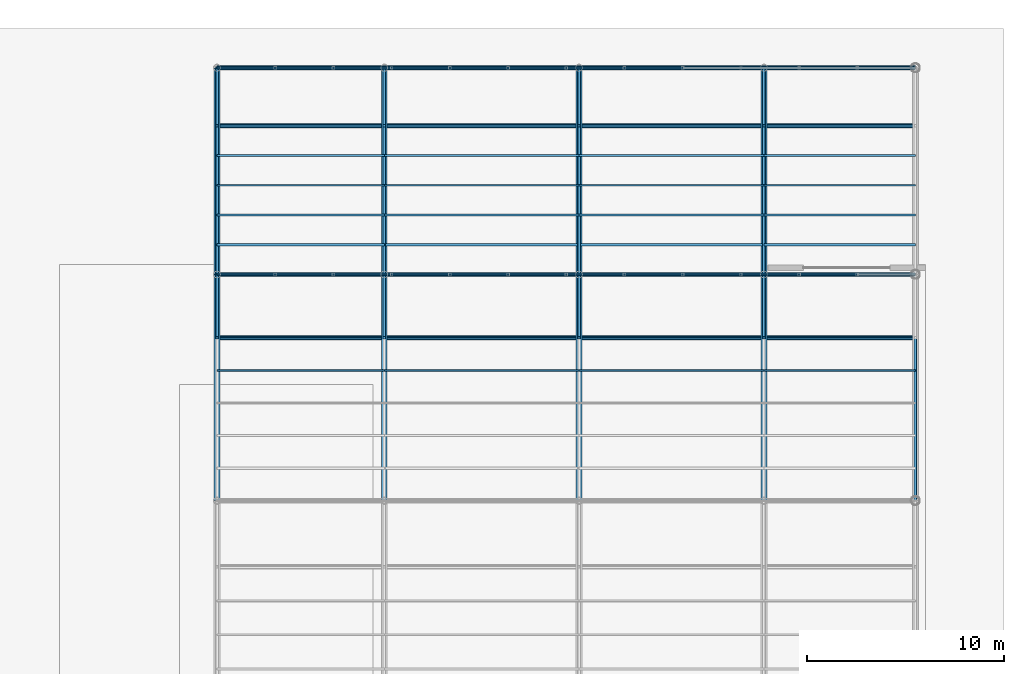
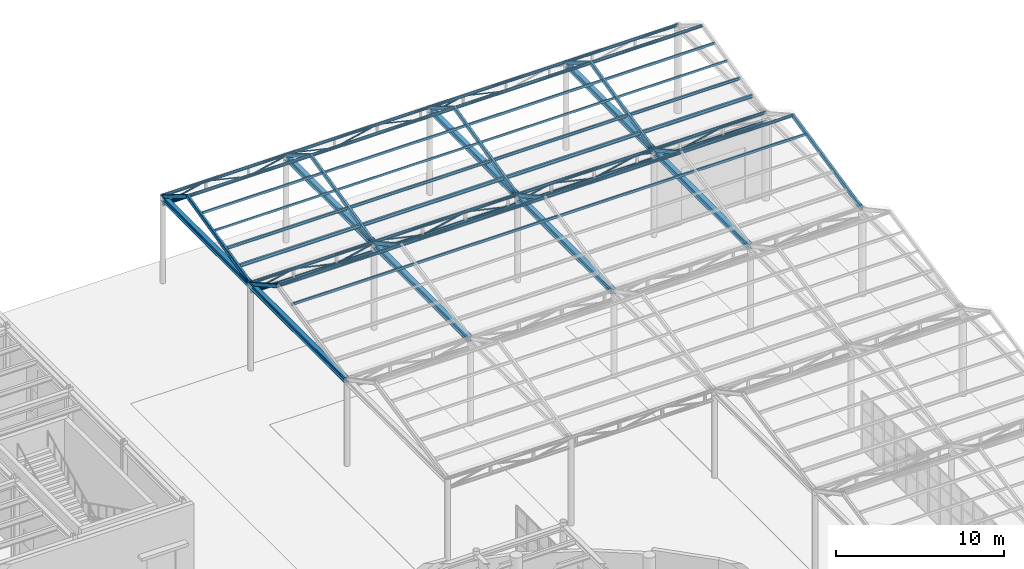
# One storey, part 49 of 118: 58 members, 8 beams.
"""IFC4 building model written with IfcOpenShell, lengths in metres."""

import ifcopenshell
import ifcopenshell.guid

model = None  # the IFC model being written
_history = None  # IfcOwnerHistory: only IFC2X3 demands one
_inside = {}  # id of a spatial element -> (the spatial element, [elements in it])
_under = {}  # id of a project, library or spatial element -> (it, [spatial elements below it])
_declared = {}  # id of a project -> (the project, [libraries it declares])
_typed = {}  # id of a type object -> (the type object, [elements of that type])
_made_of = {}  # id of a material, layer set ... -> (it, [elements and type objects made of it])


def new_model(schema):
    """Start an empty IFC model of exactly this schema.

    Asked for "IFC4X3", IfcOpenShell would pick the latest addendum, in which some entities
    have other attributes; the version numbers below select the first issue.
    IFC2X3 requires an IfcOwnerHistory on every rooted entity: one is made here for all.
    """
    global model, _history
    if schema == "IFC4X3":
        model = ifcopenshell.file(schema_version=(4, 3, 0, 0))
    else:
        model = ifcopenshell.file(schema=schema)
    _inside.clear()
    _under.clear()
    _declared.clear()
    _typed.clear()
    _made_of.clear()
    _history = None
    if model.schema == "IFC2X3":
        org = make("IfcOrganization", Name="unknown")
        user = make(
            "IfcPersonAndOrganization",
            ThePerson=make("IfcPerson", FamilyName="unknown"),
            TheOrganization=org,
        )
        app = make(
            "IfcApplication",
            ApplicationDeveloper=org,
            Version="unknown",
            ApplicationFullName="unknown",
            ApplicationIdentifier="unknown",
        )
        _history = make(
            "IfcOwnerHistory",
            OwningUser=user,
            OwningApplication=app,
            ChangeAction="ADDED",
            CreationDate=0,
        )
    return model


def make(cls, **values):
    """One entity of the class cls with the attributes given. An attribute that is None is left unset."""
    return model.create_entity(
        cls, **{name: value for name, value in values.items() if value is not None}
    )


def rooted(cls, **values):
    """An entity with a GlobalId (a new one), such as an element, a storey or a relation."""
    return make(cls, GlobalId=ifcopenshell.guid.new(), OwnerHistory=_history, **values)


def si_unit(unit_type, name, prefix=None):
    """IfcSIUnit, for example si_unit("LENGTHUNIT", "METRE", prefix="MILLI")."""
    return make("IfcSIUnit", UnitType=unit_type, Prefix=prefix, Name=name)


def assignment(units):
    """IfcUnitAssignment: the units of a project."""
    return None if units is None else make("IfcUnitAssignment", Units=units)


def point(xyz):
    """IfcCartesianPoint."""
    return None if xyz is None else make("IfcCartesianPoint", Coordinates=xyz)


def direction(xyz):
    """IfcDirection."""
    return None if xyz is None else make("IfcDirection", DirectionRatios=xyz)


def frame(location, z_axis=None, x_axis=None):
    """IfcAxis2Placement3D, a coordinate frame: its origin and axes. An axis left out is left unset."""
    return make(
        "IfcAxis2Placement3D",
        Location=point(location),
        Axis=direction(z_axis),
        RefDirection=direction(x_axis),
    )


def frame_2d(location, x_axis=None):
    """IfcAxis2Placement2D, a coordinate frame in the plane: its origin and x axis."""
    return make(
        "IfcAxis2Placement2D", Location=point(location), RefDirection=direction(x_axis)
    )


def origin():
    """The frame at (0, 0, 0) with its axes left unset."""
    return frame((0.0, 0.0, 0.0))


def origin_2d():
    """The frame at (0, 0) in the plane with its x axis left unset."""
    return frame_2d((0.0, 0.0))


def place(relative_to, where):
    """IfcLocalPlacement: puts the frame where relative to a parent placement (None: the world)."""
    return make(
        "IfcLocalPlacement", PlacementRelTo=relative_to, RelativePlacement=where
    )


def context(
    kind, dimensions, precision=None, world=None, true_north=None, identifier=None
):
    """IfcGeometricRepresentationContext, for example the 3D "Model" context."""
    return make(
        "IfcGeometricRepresentationContext",
        ContextIdentifier=identifier,
        ContextType=kind,
        CoordinateSpaceDimension=dimensions,
        Precision=precision,
        WorldCoordinateSystem=world,
        TrueNorth=true_north,
    )


def subcontext(parent, identifier, kind, view, scale=None):
    """IfcGeometricRepresentationSubContext, for example "Body" below "Model"."""
    return make(
        "IfcGeometricRepresentationSubContext",
        ContextIdentifier=identifier,
        ContextType=kind,
        ParentContext=parent,
        TargetScale=scale,
        TargetView=view,
    )


def project(units=None, contexts=None):
    """IfcProject with its units and contexts."""
    return rooted(
        "IfcProject",
        Name="project",
        RepresentationContexts=contexts,
        UnitsInContext=assignment(units),
    )


def spatial(cls, under=None, at=None, **own):
    """A site, building, storey or space (cls), placed at a placement, below another one or the project."""
    s = rooted(cls, ObjectPlacement=at, **own)
    if under is not None:
        _under.setdefault(under.id(), (under, []))[1].append(s)
    return s


def profile(cls, at=None, kind="AREA", **sizes):
    """A parametric profile (cls). Its sizes go by their IFC names, for example OverallWidth=200.0."""
    return make(cls, ProfileType=kind, Position=at, **sizes)


def hollow_rectangle(**sizes):
    """IfcRectangleHollowProfileDef."""
    return profile("IfcRectangleHollowProfileDef", **sizes)


def hollow_circle(**sizes):
    """IfcCircleHollowProfileDef."""
    return profile("IfcCircleHollowProfileDef", **sizes)


def i_section(**sizes):
    """IfcIShapeProfileDef."""
    return profile("IfcIShapeProfileDef", **sizes)


def extrude(swept, where, along, depth):
    """IfcExtrudedAreaSolid: the profile swept, set in the frame where, extruded along a direction by depth."""
    return make(
        "IfcExtrudedAreaSolid",
        SweptArea=swept,
        Position=where,
        ExtrudedDirection=direction(along),
        Depth=depth,
    )


def shape(context_of_items, identifier, shape_type, items):
    """IfcShapeRepresentation: the items that make up one representation, for example the "Body"."""
    return make(
        "IfcShapeRepresentation",
        ContextOfItems=context_of_items,
        RepresentationIdentifier=identifier,
        RepresentationType=shape_type,
        Items=items,
    )


def material(Name=None, Category=None):
    """IfcMaterial."""
    return make("IfcMaterial", Name=Name, Category=Category)


def material_profile(
    of_material, cross_section, Name=None, Category=None, Priority=None
):
    """IfcMaterialProfile: a cross section and its material."""
    return make(
        "IfcMaterialProfile",
        Name=Name,
        Material=of_material,
        Profile=cross_section,
        Priority=Priority,
        Category=Category,
    )


def profile_set(profiles, Name=None, composite=None):
    """IfcMaterialProfileSet."""
    return make(
        "IfcMaterialProfileSet",
        Name=Name,
        MaterialProfiles=profiles,
        CompositeProfile=composite,
    )


def made_of(thing, what):
    """Note that an element or type object is made of a material, layer set ...; save() writes the relation."""
    if what is not None:
        _made_of.setdefault(what.id(), (what, []))[1].append(thing)
    return thing


def type_object(cls, material=None, **own):
    """A type object (cls), such as IfcWallType, which elements share."""
    return made_of(rooted(cls, **own), material)


def element(
    cls,
    number,
    at=None,
    inside=None,
    cuts=None,
    type_object=None,
    material=None,
    context=None,
    identifier="Body",
    shape_type=None,
    held_by="IfcProductDefinitionShape",
    body=None,
    shapes=None,
    **own,
):
    """One element of the class cls, such as IfcWall. Its Tag is "e" and its number.

    at: its placement. inside: the storey or other place that contains it. cuts: it is an
    opening in that element (IfcRelVoidsElement). A single representation is given by context,
    identifier, shape_type and body (its items); several are given by shapes. held_by: the class
    of the entity that holds the representations. save() writes the other relations.
    """
    e = rooted(cls, Tag="e%d" % number, ObjectPlacement=at, **own)
    if body is not None:
        shapes = [shape(context, identifier, shape_type, body)]
    if shapes is not None:
        e.Representation = make(held_by, Representations=shapes)
    if inside is not None:
        _inside.setdefault(inside.id(), (inside, []))[1].append(e)
    if cuts is not None:
        rooted(
            "IfcRelVoidsElement", RelatingBuildingElement=cuts, RelatedOpeningElement=e
        )
    if type_object is not None:
        _typed.setdefault(type_object.id(), (type_object, []))[1].append(e)
    return made_of(e, material)


def aggregate(whole, parts):
    """IfcRelAggregates: a whole, such as a stair, and the parts it consists of."""
    return rooted("IfcRelAggregates", RelatingObject=whole, RelatedObjects=parts)


def save(model, path):
    """Write the relations noted so far, then the file.

    IfcRelAggregates (storeys below a building ...), IfcRelContainedInSpatialStructure (elements
    in a storey), IfcRelDefinesByType, IfcRelAssociatesMaterial and IfcRelDeclares: one each for
    every whole, place, type object, material and project.
    """
    for whole, parts in _under.values():
        aggregate(whole, parts)
    for where, things in _inside.values():
        rooted(
            "IfcRelContainedInSpatialStructure",
            RelatedElements=things,
            RelatingStructure=where,
        )
    for kind, things in _typed.values():
        rooted("IfcRelDefinesByType", RelatedObjects=things, RelatingType=kind)
    for what, things in _made_of.values():
        rooted("IfcRelAssociatesMaterial", RelatedObjects=things, RelatingMaterial=what)
    for by, libraries in _declared.values():
        rooted("IfcRelDeclares", RelatingContext=by, RelatedDefinitions=libraries)
    model.write(path)


model = new_model("IFC4")

# Units and contexts
model_context = context("Model", 3, precision=1e-05, world=origin(), true_north=direction((0.0, 1.0)))
body_context = subcontext(model_context, "Body", "Model", "MODEL_VIEW")
ifc_project = project(units=[si_unit("LENGTHUNIT", "METRE"), si_unit("AREAUNIT", "SQUARE_METRE"), si_unit("VOLUMEUNIT", "CUBIC_METRE"), si_unit("PLANEANGLEUNIT", "RADIAN"), si_unit("MASSUNIT", "GRAM", prefix="KILO")], contexts=[model_context])

# Site, building, storey
site_placement = place(None, origin())
site = spatial("IfcSite", under=ifc_project, at=site_placement, CompositionType="ELEMENT")
building_placement = place(site_placement, origin())
building = spatial("IfcBuilding", under=site, at=building_placement, Name="Kolvaren Corner Interchange", CompositionType="ELEMENT")
storey_placement = place(building_placement, origin())
storey = spatial("IfcBuildingStorey", under=building, at=storey_placement, Name="L01", CompositionType="ELEMENT", Elevation=0.0)

# Beams
ifc_material_1 = material(Name="Steel S355", Category="steel")
ifc_material_profile_1 = material_profile(ifc_material_1, i_section(OverallWidth=0.300048828125, OverallDepth=0.389892578125, WebThickness=0.010986328125, FlangeThickness=0.01904296875, FilletRadius=0.027099609375, at=origin_2d()), Name="HEA 400")
ifc_profile_set_1 = profile_set([ifc_material_profile_1], Name="Steel S355")
beam_type = type_object("IfcBeamType", Name="BM-HEA400", PredefinedType="BEAM", material=ifc_profile_set_1)
beam_1_placement = place(storey_placement, frame((128.0, 90.0, 6.199951171875), z_axis=(0.0, 1.0, 0.0), x_axis=(-1.0, 0.0, 0.0)))
element("IfcBeam", 1, at=beam_1_placement, inside=storey, type_object=beam_type, Name="Bus Canopy Eaves Girder 002", PredefinedType="BEAM", context=body_context, shape_type="SweptSolid", body=[
    extrude(i_section(OverallWidth=0.300048828125, OverallDepth=0.389892578125, WebThickness=0.010986328125, FlangeThickness=0.01904296875, FilletRadius=0.027099609375, at=origin_2d()), origin(), (0.0, 0.0, 1.0), 11.5),
])
beam_2_placement = place(storey_placement, frame((128.0, 101.5, 6.199951171875), z_axis=(0.0, 1.0, 0.0), x_axis=(-1.0, 0.0, 0.0)))
element("IfcBeam", 2, at=beam_2_placement, inside=storey, type_object=beam_type, Name="Bus Canopy Eaves Girder 003", PredefinedType="BEAM", context=body_context, shape_type="SweptSolid", body=[
    extrude(i_section(OverallWidth=0.300048828125, OverallDepth=0.389892578125, WebThickness=0.010986328125, FlangeThickness=0.01904296875, FilletRadius=0.027099609375, at=origin_2d()), origin(), (0.0, 0.0, 1.0), 10.5),
])
beam_3_placement = place(storey_placement, frame((136.5, 90.0, 6.199951171875), z_axis=(0.0, 1.0, 0.0), x_axis=(-1.0, 0.0, 0.0)))
element("IfcBeam", 3, at=beam_3_placement, inside=storey, type_object=beam_type, Name="Bus Canopy Eaves Girder 005", PredefinedType="BEAM", context=body_context, shape_type="SweptSolid", body=[
    extrude(i_section(OverallWidth=0.300048828125, OverallDepth=0.389892578125, WebThickness=0.010986328125, FlangeThickness=0.01904296875, FilletRadius=0.027099609375, at=origin_2d()), origin(), (0.0, 0.0, 1.0), 11.5),
])
beam_4_placement = place(storey_placement, frame((136.5, 101.5, 6.199951171875), z_axis=(0.0, 1.0, 0.0), x_axis=(-1.0, 0.0, 0.0)))
element("IfcBeam", 4, at=beam_4_placement, inside=storey, type_object=beam_type, Name="Bus Canopy Eaves Girder 006", PredefinedType="BEAM", context=body_context, shape_type="SweptSolid", body=[
    extrude(i_section(OverallWidth=0.300048828125, OverallDepth=0.389892578125, WebThickness=0.010986328125, FlangeThickness=0.01904296875, FilletRadius=0.027099609375, at=origin_2d()), origin(), (0.0, 0.0, 1.0), 10.5),
])
beam_5_placement = place(storey_placement, frame((146.39990234375, 90.0, 6.199951171875), z_axis=(0.0, 1.0, 0.0), x_axis=(-1.0, 0.0, 0.0)))
element("IfcBeam", 5, at=beam_5_placement, inside=storey, type_object=beam_type, Name="Bus Canopy Eaves Girder 011", PredefinedType="BEAM", context=body_context, shape_type="SweptSolid", body=[
    extrude(i_section(OverallWidth=0.300048828125, OverallDepth=0.389892578125, WebThickness=0.010986328125, FlangeThickness=0.01904296875, FilletRadius=0.027099609375, at=origin_2d()), origin(), (0.0, 0.0, 1.0), 11.5),
])
beam_6_placement = place(storey_placement, frame((146.39990234375, 101.5, 6.199951171875), z_axis=(0.0, 1.0, 0.0), x_axis=(-1.0, 0.0, 0.0)))
element("IfcBeam", 6, at=beam_6_placement, inside=storey, type_object=beam_type, Name="Bus Canopy Eaves Girder 012", PredefinedType="BEAM", context=body_context, shape_type="SweptSolid", body=[
    extrude(i_section(OverallWidth=0.300048828125, OverallDepth=0.389892578125, WebThickness=0.010986328125, FlangeThickness=0.01904296875, FilletRadius=0.027099609375, at=origin_2d()), origin(), (0.0, 0.0, 1.0), 10.5),
])
beam_7_placement = place(storey_placement, frame((155.800048828125, 90.0, 6.199951171875), z_axis=(0.0, 1.0, 0.0), x_axis=(-1.0, 0.0, 0.0)))
element("IfcBeam", 7, at=beam_7_placement, inside=storey, type_object=beam_type, Name="Bus Canopy Eaves Girder 017", PredefinedType="BEAM", context=body_context, shape_type="SweptSolid", body=[
    extrude(i_section(OverallWidth=0.300048828125, OverallDepth=0.389892578125, WebThickness=0.010986328125, FlangeThickness=0.01904296875, FilletRadius=0.027099609375, at=origin_2d()), origin(), (0.0, 0.0, 1.0), 11.5),
])
beam_8_placement = place(storey_placement, frame((155.800048828125, 101.5, 6.199951171875), z_axis=(0.0, 1.0, 0.0), x_axis=(-1.0, 0.0, 0.0)))
element("IfcBeam", 8, at=beam_8_placement, inside=storey, type_object=beam_type, Name="Bus Canopy Eaves Girder 018", PredefinedType="BEAM", context=body_context, shape_type="SweptSolid", body=[
    extrude(i_section(OverallWidth=0.300048828125, OverallDepth=0.389892578125, WebThickness=0.010986328125, FlangeThickness=0.01904296875, FilletRadius=0.027099609375, at=origin_2d()), origin(), (0.0, 0.0, 1.0), 10.5),
])

# Members
ifc_material_2 = material(Name="Steel S355", Category="steel")
ifc_material_profile_2 = material_profile(ifc_material_2, hollow_circle(Radius=0.05712890625, WallThickness=0.00634765625, at=origin_2d()), Name="CHS 114.3x6.3")
ifc_profile_set_2 = profile_set([ifc_material_profile_2], Name="Steel S355")
member_type_1 = type_object("IfcMemberType", Name="MEM-BR-CHS114", PredefinedType="BRACE", material=ifc_profile_set_2)
for number, where, z_axis, x_axis, name in (
    (9, (128.0, 101.5, 5.64990234375), (0.97528679841, 0.0, 0.220942664161), (0.0, 1.0, 0.0), "Bus Canopy Sawtooth Roof Truss 06 Web Diagonal 01"),
    (10, (133.916748046875, 101.5, 5.64990234375), (0.97528679841, 0.0, 0.220942664161), (0.0, 1.0, 0.0), "Bus Canopy Sawtooth Roof Truss 06 Web Diagonal 03"),
):
    element("IfcMember", number, at=place(storey_placement, frame(where, z_axis=z_axis, x_axis=x_axis)), inside=storey, type_object=member_type_1, Name=name, PredefinedType="BRACE", context=body_context, shape_type="SweptSolid", body=[
        extrude(hollow_circle(Radius=0.05712890625, WallThickness=0.00634765625, at=origin_2d()), origin(), (0.0, 0.0, 1.0), 3.033203125),
    ])
member_1_placement = place(storey_placement, frame((139.833251953125, 101.5, 5.64990234375), z_axis=(0.975290727078, 0.0, 0.220925321491), x_axis=(0.0, 1.0, 0.0)))
element("IfcMember", 11, at=member_1_placement, inside=storey, type_object=member_type_1, Name="Bus Canopy Sawtooth Roof Truss 06 Web Diagonal 05", PredefinedType="BRACE", context=body_context, shape_type="SweptSolid", body=[
    extrude(hollow_circle(Radius=0.05712890625, WallThickness=0.00634765625, at=origin_2d()), origin(), (0.0, 0.0, 1.0), 3.033447265625),
])
for number, where, z_axis, x_axis, name in (
    (12, (145.75, 101.5, 5.64990234375), (0.97528679841, 0.0, 0.220942664161), (0.0, 1.0, 0.0), "Bus Canopy Sawtooth Roof Truss 06 Web Diagonal 07"),
    (13, (151.666748046875, 101.5, 5.64990234375), (0.97528679841, 0.0, 0.220942664161), (0.0, 1.0, 0.0), "Bus Canopy Sawtooth Roof Truss 06 Web Diagonal 09"),
):
    element("IfcMember", number, at=place(storey_placement, frame(where, z_axis=z_axis, x_axis=x_axis)), inside=storey, type_object=member_type_1, Name=name, PredefinedType="BRACE", context=body_context, shape_type="SweptSolid", body=[
        extrude(hollow_circle(Radius=0.05712890625, WallThickness=0.00634765625, at=origin_2d()), origin(), (0.0, 0.0, 1.0), 3.033203125),
    ])
member_2_placement = place(storey_placement, frame((157.583251953125, 101.5, 5.64990234375), z_axis=(0.975290727078, 0.0, 0.220925321491), x_axis=(0.0, 1.0, 0.0)))
element("IfcMember", 14, at=member_2_placement, inside=storey, type_object=member_type_1, Name="Bus Canopy Sawtooth Roof Truss 06 Web Diagonal 11", PredefinedType="BRACE", context=body_context, shape_type="SweptSolid", body=[
    extrude(hollow_circle(Radius=0.05712890625, WallThickness=0.00634765625, at=origin_2d()), origin(), (0.0, 0.0, 1.0), 3.033447265625),
])
for number, where, z_axis, x_axis, name in (
    (15, (128.0, 112.0, 5.64990234375), (0.97528679841, 0.0, 0.220942664161), (0.0, 1.0, 0.0), "Bus Canopy Sawtooth Roof Truss 07 Web Diagonal 01"),
    (16, (133.916748046875, 112.0, 5.64990234375), (0.97528679841, 0.0, 0.220942664161), (0.0, 1.0, 0.0), "Bus Canopy Sawtooth Roof Truss 07 Web Diagonal 03"),
):
    element("IfcMember", number, at=place(storey_placement, frame(where, z_axis=z_axis, x_axis=x_axis)), inside=storey, type_object=member_type_1, Name=name, PredefinedType="BRACE", context=body_context, shape_type="SweptSolid", body=[
        extrude(hollow_circle(Radius=0.05712890625, WallThickness=0.00634765625, at=origin_2d()), origin(), (0.0, 0.0, 1.0), 3.033203125),
    ])
member_3_placement = place(storey_placement, frame((139.833251953125, 112.0, 5.64990234375), z_axis=(0.975290727078, 0.0, 0.220925321491), x_axis=(0.0, 1.0, 0.0)))
element("IfcMember", 17, at=member_3_placement, inside=storey, type_object=member_type_1, Name="Bus Canopy Sawtooth Roof Truss 07 Web Diagonal 05", PredefinedType="BRACE", context=body_context, shape_type="SweptSolid", body=[
    extrude(hollow_circle(Radius=0.05712890625, WallThickness=0.00634765625, at=origin_2d()), origin(), (0.0, 0.0, 1.0), 3.033447265625),
])
member_4_placement = place(storey_placement, frame((145.75, 112.0, 5.64990234375), z_axis=(0.97528679841, 0.0, 0.220942664161), x_axis=(0.0, 1.0, 0.0)))
element("IfcMember", 18, at=member_4_placement, inside=storey, type_object=member_type_1, Name="Bus Canopy Sawtooth Roof Truss 07 Web Diagonal 07", PredefinedType="BRACE", context=body_context, shape_type="SweptSolid", body=[
    extrude(hollow_circle(Radius=0.05712890625, WallThickness=0.00634765625, at=origin_2d()), origin(), (0.0, 0.0, 1.0), 3.033203125),
])
ifc_material_3 = material(Name="Steel S355", Category="steel")
ifc_material_profile_3 = material_profile(ifc_material_3, hollow_circle(Radius=0.04443359375, WallThickness=0.0048828125, at=origin_2d()), Name="CHS 88.9x5.0")
ifc_profile_set_3 = profile_set([ifc_material_profile_3], Name="Steel S355")
member_type_2 = type_object("IfcMemberType", Name="MEM-BR-CHS89", PredefinedType="BRACE", material=ifc_profile_set_3)
member_5_placement = place(storey_placement, frame((130.958251953125, 101.5, 6.320068359375), z_axis=(0.975290727078, 0.0, -0.220925321491), x_axis=(0.0, 1.0, 0.0)))
element("IfcMember", 19, at=member_5_placement, inside=storey, type_object=member_type_2, Name="Bus Canopy Sawtooth Roof Truss 06 Web Diagonal 02", PredefinedType="BRACE", context=body_context, shape_type="SweptSolid", body=[
    extrude(hollow_circle(Radius=0.04443359375, WallThickness=0.0048828125, at=origin_2d()), origin(), (0.0, 0.0, 1.0), 3.033447265625),
])
for number, where, z_axis, x_axis, name in (
    (20, (136.875, 101.5, 6.320068359375), (0.97528679841, 0.0, -0.220942664161), (0.0, 1.0, 0.0), "Bus Canopy Sawtooth Roof Truss 06 Web Diagonal 04"),
    (21, (142.791748046875, 101.5, 6.320068359375), (0.97528679841, 0.0, -0.220942664161), (0.0, 1.0, 0.0), "Bus Canopy Sawtooth Roof Truss 06 Web Diagonal 06"),
):
    element("IfcMember", number, at=place(storey_placement, frame(where, z_axis=z_axis, x_axis=x_axis)), inside=storey, type_object=member_type_2, Name=name, PredefinedType="BRACE", context=body_context, shape_type="SweptSolid", body=[
        extrude(hollow_circle(Radius=0.04443359375, WallThickness=0.0048828125, at=origin_2d()), origin(), (0.0, 0.0, 1.0), 3.033203125),
    ])
member_6_placement = place(storey_placement, frame((148.708251953125, 101.5, 6.320068359375), z_axis=(0.975290727078, 0.0, -0.220925321491), x_axis=(0.0, 1.0, 0.0)))
element("IfcMember", 22, at=member_6_placement, inside=storey, type_object=member_type_2, Name="Bus Canopy Sawtooth Roof Truss 06 Web Diagonal 08", PredefinedType="BRACE", context=body_context, shape_type="SweptSolid", body=[
    extrude(hollow_circle(Radius=0.04443359375, WallThickness=0.0048828125, at=origin_2d()), origin(), (0.0, 0.0, 1.0), 3.033447265625),
])
member_7_placement = place(storey_placement, frame((154.625, 101.5, 6.320068359375), z_axis=(0.97528679841, 0.0, -0.220942664161), x_axis=(0.0, 1.0, 0.0)))
element("IfcMember", 23, at=member_7_placement, inside=storey, type_object=member_type_2, Name="Bus Canopy Sawtooth Roof Truss 06 Web Diagonal 10", PredefinedType="BRACE", context=body_context, shape_type="SweptSolid", body=[
    extrude(hollow_circle(Radius=0.04443359375, WallThickness=0.0048828125, at=origin_2d()), origin(), (0.0, 0.0, 1.0), 3.033203125),
])
member_8_placement = place(storey_placement, frame((130.958251953125, 112.0, 6.320068359375), z_axis=(0.975290727078, 0.0, -0.220925321491), x_axis=(0.0, 1.0, 0.0)))
element("IfcMember", 24, at=member_8_placement, inside=storey, type_object=member_type_2, Name="Bus Canopy Sawtooth Roof Truss 07 Web Diagonal 02", PredefinedType="BRACE", context=body_context, shape_type="SweptSolid", body=[
    extrude(hollow_circle(Radius=0.04443359375, WallThickness=0.0048828125, at=origin_2d()), origin(), (0.0, 0.0, 1.0), 3.033447265625),
])
for number, where, z_axis, x_axis, name in (
    (25, (136.875, 112.0, 6.320068359375), (0.97528679841, 0.0, -0.220942664161), (0.0, 1.0, 0.0), "Bus Canopy Sawtooth Roof Truss 07 Web Diagonal 04"),
    (26, (142.791748046875, 112.0, 6.320068359375), (0.97528679841, 0.0, -0.220942664161), (0.0, 1.0, 0.0), "Bus Canopy Sawtooth Roof Truss 07 Web Diagonal 06"),
):
    element("IfcMember", number, at=place(storey_placement, frame(where, z_axis=z_axis, x_axis=x_axis)), inside=storey, type_object=member_type_2, Name=name, PredefinedType="BRACE", context=body_context, shape_type="SweptSolid", body=[
        extrude(hollow_circle(Radius=0.04443359375, WallThickness=0.0048828125, at=origin_2d()), origin(), (0.0, 0.0, 1.0), 3.033203125),
    ])
member_9_placement = place(storey_placement, frame((148.708251953125, 112.0, 6.320068359375), z_axis=(0.975290727078, 0.0, -0.220925321491), x_axis=(0.0, 1.0, 0.0)))
element("IfcMember", 27, at=member_9_placement, inside=storey, type_object=member_type_2, Name="Bus Canopy Sawtooth Roof Truss 07 Web Diagonal 08", PredefinedType="BRACE", context=body_context, shape_type="SweptSolid", body=[
    extrude(hollow_circle(Radius=0.04443359375, WallThickness=0.0048828125, at=origin_2d()), origin(), (0.0, 0.0, 1.0), 3.033447265625),
])
ifc_material_4 = material(Name="Steel S355", Category="steel")
ifc_material_profile_4 = material_profile(ifc_material_4, hollow_circle(Radius=0.109619140625, WallThickness=0.010009765625, at=origin_2d()), Name="CHS 219.1x10.0")
ifc_profile_set_4 = profile_set([ifc_material_profile_4], Name="Steel S355")
member_type_3 = type_object("IfcMemberType", Name="MEM-CH-CHS219", PredefinedType="CHORD", material=ifc_profile_set_4)
for number, where, z_axis, x_axis, name in (
    (28, (128.0, 101.5, 5.64990234375), (1.0, 0.0, 0.0), (0.0, 1.0, 0.0), "Bus Canopy Sawtooth Roof Truss 06 Bottom Chord"),
    (29, (128.0, 101.5, 6.320068359375), (1.0, 0.0, 0.0), (0.0, 1.0, 0.0), "Bus Canopy Sawtooth Roof Truss 06 Top Chord"),
    (30, (128.0, 112.0, 5.64990234375), (1.0, 0.0, 0.0), (0.0, 1.0, 0.0), "Bus Canopy Sawtooth Roof Truss 07 Bottom Chord"),
    (31, (128.0, 112.0, 6.320068359375), (1.0, 0.0, 0.0), (0.0, 1.0, 0.0), "Bus Canopy Sawtooth Roof Truss 07 Top Chord"),
    (32, (128.0, 98.280029296875, 8.050048828125), (1.0, 0.0, 0.0), (0.0, 1.0, 0.0), "Bus Canopy Sawtooth Roof Truss Ridge Chord 05"),
    (33, (128.0, 109.06005859375, 8.050048828125), (1.0, 0.0, 0.0), (0.0, 1.0, 0.0), "Bus Canopy Sawtooth Roof Truss Ridge Chord 06"),
):
    element("IfcMember", number, at=place(storey_placement, frame(where, z_axis=z_axis, x_axis=x_axis)), inside=storey, type_object=member_type_3, Name=name, PredefinedType="CHORD", context=body_context, shape_type="SweptSolid", body=[
        extrude(hollow_circle(Radius=0.109619140625, WallThickness=0.010009765625, at=origin_2d()), origin(), (0.0, 0.0, 1.0), 35.5),
    ])
ifc_material_5 = material(Name="Steel S355", Category="steel")
ifc_material_profile_5 = material_profile(ifc_material_5, i_section(OverallWidth=0.10009765625, OverallDepth=0.199951171875, WebThickness=0.005615234375, FlangeThickness=0.008544921875, FilletRadius=0.011962890625, at=origin_2d()), Name="IPE 200")
ifc_profile_set_5 = profile_set([ifc_material_profile_5], Name="Steel S355")
member_type_4 = type_object("IfcMemberType", Name="MEM-PR-IPE200", PredefinedType="PURLIN", material=ifc_profile_set_5)
member_10_placement = place(storey_placement, frame((128.0, 104.52392578125, 6.97998046875), z_axis=(1.0, 0.0, 0.0), x_axis=(0.0, 1.0, 0.0)))
element("IfcMember", 34, at=member_10_placement, inside=storey, type_object=member_type_4, Name="Bus Canopy Sawtooth Purlin 06 Row 2 Bay 128", PredefinedType="PURLIN", context=body_context, shape_type="SweptSolid", body=[
    extrude(i_section(OverallWidth=0.10009765625, OverallDepth=0.199951171875, WebThickness=0.005615234375, FlangeThickness=0.008544921875, FilletRadius=0.011962890625, at=origin_2d()), origin(), (0.0, 0.0, 1.0), 8.5),
])
member_11_placement = place(storey_placement, frame((136.5, 104.52392578125, 6.97998046875), z_axis=(1.0, 0.0, 0.0), x_axis=(0.0, 1.0, 0.0)))
element("IfcMember", 35, at=member_11_placement, inside=storey, type_object=member_type_4, Name="Bus Canopy Sawtooth Purlin 06 Row 2 Bay 136", PredefinedType="PURLIN", context=body_context, shape_type="SweptSolid", body=[
    extrude(i_section(OverallWidth=0.10009765625, OverallDepth=0.199951171875, WebThickness=0.005615234375, FlangeThickness=0.008544921875, FilletRadius=0.011962890625, at=origin_2d()), origin(), (0.0, 0.0, 1.0), 9.89990234375),
])
member_12_placement = place(storey_placement, frame((146.39990234375, 104.52392578125, 6.97998046875), z_axis=(1.0, 0.0, 0.0), x_axis=(0.0, 1.0, 0.0)))
element("IfcMember", 36, at=member_12_placement, inside=storey, type_object=member_type_4, Name="Bus Canopy Sawtooth Purlin 06 Row 2 Bay 146", PredefinedType="PURLIN", context=body_context, shape_type="SweptSolid", body=[
    extrude(i_section(OverallWidth=0.10009765625, OverallDepth=0.199951171875, WebThickness=0.005615234375, FlangeThickness=0.008544921875, FilletRadius=0.011962890625, at=origin_2d()), origin(), (0.0, 0.0, 1.0), 9.400146484375),
])
member_13_placement = place(storey_placement, frame((155.800048828125, 104.52392578125, 6.97998046875), z_axis=(1.0, 0.0, 0.0), x_axis=(0.0, 1.0, 0.0)))
element("IfcMember", 37, at=member_13_placement, inside=storey, type_object=member_type_4, Name="Bus Canopy Sawtooth Purlin 06 Row 2 Bay 155", PredefinedType="PURLIN", context=body_context, shape_type="SweptSolid", body=[
    extrude(i_section(OverallWidth=0.10009765625, OverallDepth=0.199951171875, WebThickness=0.005615234375, FlangeThickness=0.008544921875, FilletRadius=0.011962890625, at=origin_2d()), origin(), (0.0, 0.0, 1.0), 7.699951171875),
])
ifc_material_6 = material(Name="Steel S355", Category="steel")
ifc_material_profile_6 = material_profile(ifc_material_6, i_section(OverallWidth=0.1201171875, OverallDepth=0.239990234375, WebThickness=0.006103515625, FlangeThickness=0.009765625, FilletRadius=0.014892578125, at=origin_2d()), Name="IPE 240")
ifc_profile_set_6 = profile_set([ifc_material_profile_6], Name="Steel S355")
member_type_5 = type_object("IfcMemberType", Name="MEM-PR-IPE240", PredefinedType="PURLIN", material=ifc_profile_set_6)
member_14_placement = place(storey_placement, frame((128.0, 103.011962890625, 6.6201171875), z_axis=(1.0, 0.0, 0.0), x_axis=(0.0, 1.0, 0.0)))
element("IfcMember", 38, at=member_14_placement, inside=storey, type_object=member_type_5, Name="Bus Canopy Sawtooth Purlin 06 Row 1 Bay 128", PredefinedType="PURLIN", context=body_context, shape_type="SweptSolid", body=[
    extrude(i_section(OverallWidth=0.1201171875, OverallDepth=0.239990234375, WebThickness=0.006103515625, FlangeThickness=0.009765625, FilletRadius=0.014892578125, at=origin_2d()), origin(), (0.0, 0.0, 1.0), 8.5),
])
member_15_placement = place(storey_placement, frame((136.5, 103.011962890625, 6.6201171875), z_axis=(1.0, 0.0, 0.0), x_axis=(0.0, 1.0, 0.0)))
element("IfcMember", 39, at=member_15_placement, inside=storey, type_object=member_type_5, Name="Bus Canopy Sawtooth Purlin 06 Row 1 Bay 136", PredefinedType="PURLIN", context=body_context, shape_type="SweptSolid", body=[
    extrude(i_section(OverallWidth=0.1201171875, OverallDepth=0.239990234375, WebThickness=0.006103515625, FlangeThickness=0.009765625, FilletRadius=0.014892578125, at=origin_2d()), origin(), (0.0, 0.0, 1.0), 9.89990234375),
])
member_16_placement = place(storey_placement, frame((146.39990234375, 103.011962890625, 6.6201171875), z_axis=(1.0, 0.0, 0.0), x_axis=(0.0, 1.0, 0.0)))
element("IfcMember", 40, at=member_16_placement, inside=storey, type_object=member_type_5, Name="Bus Canopy Sawtooth Purlin 06 Row 1 Bay 146", PredefinedType="PURLIN", context=body_context, shape_type="SweptSolid", body=[
    extrude(i_section(OverallWidth=0.1201171875, OverallDepth=0.239990234375, WebThickness=0.006103515625, FlangeThickness=0.009765625, FilletRadius=0.014892578125, at=origin_2d()), origin(), (0.0, 0.0, 1.0), 9.400146484375),
])
member_17_placement = place(storey_placement, frame((155.800048828125, 103.011962890625, 6.6201171875), z_axis=(1.0, 0.0, 0.0), x_axis=(0.0, 1.0, 0.0)))
element("IfcMember", 41, at=member_17_placement, inside=storey, type_object=member_type_5, Name="Bus Canopy Sawtooth Purlin 06 Row 1 Bay 155", PredefinedType="PURLIN", context=body_context, shape_type="SweptSolid", body=[
    extrude(i_section(OverallWidth=0.1201171875, OverallDepth=0.239990234375, WebThickness=0.006103515625, FlangeThickness=0.009765625, FilletRadius=0.014892578125, at=origin_2d()), origin(), (0.0, 0.0, 1.0), 7.699951171875),
])
ifc_material_7 = material(Name="Steel S355", Category="steel")
ifc_material_profile_7 = material_profile(ifc_material_7, hollow_rectangle(XDim=0.080078125, YDim=0.159912109375, WallThickness=0.00634765625, InnerFilletRadius=0.00634765625, OuterFilletRadius=0.0126953125, at=origin_2d()), Name="RHS 160x80x6.3")
ifc_profile_set_7 = profile_set([ifc_material_profile_7], Name="Steel S355")
member_type_6 = type_object("IfcMemberType", Name="MEM-PR-RHS160", PredefinedType="PURLIN", material=ifc_profile_set_7)
member_18_placement = place(storey_placement, frame((128.0, 106.035888671875, 7.340087890625), z_axis=(1.0, 0.0, 0.0), x_axis=(0.0, 1.0, 0.0)))
element("IfcMember", 42, at=member_18_placement, inside=storey, type_object=member_type_6, Name="Bus Canopy Sawtooth Purlin 06 Row 3 Bay 128", PredefinedType="PURLIN", context=body_context, shape_type="SweptSolid", body=[
    extrude(hollow_rectangle(XDim=0.080078125, YDim=0.159912109375, WallThickness=0.00634765625, InnerFilletRadius=0.00634765625, OuterFilletRadius=0.0126953125, at=origin_2d()), origin(), (0.0, 0.0, 1.0), 8.5),
])
member_19_placement = place(storey_placement, frame((136.5, 106.035888671875, 7.340087890625), z_axis=(1.0, 0.0, 0.0), x_axis=(0.0, 1.0, 0.0)))
element("IfcMember", 43, at=member_19_placement, inside=storey, type_object=member_type_6, Name="Bus Canopy Sawtooth Purlin 06 Row 3 Bay 136", PredefinedType="PURLIN", context=body_context, shape_type="SweptSolid", body=[
    extrude(hollow_rectangle(XDim=0.080078125, YDim=0.159912109375, WallThickness=0.00634765625, InnerFilletRadius=0.00634765625, OuterFilletRadius=0.0126953125, at=origin_2d()), origin(), (0.0, 0.0, 1.0), 9.89990234375),
])
member_20_placement = place(storey_placement, frame((146.39990234375, 106.035888671875, 7.340087890625), z_axis=(1.0, 0.0, 0.0), x_axis=(0.0, 1.0, 0.0)))
element("IfcMember", 44, at=member_20_placement, inside=storey, type_object=member_type_6, Name="Bus Canopy Sawtooth Purlin 06 Row 3 Bay 146", PredefinedType="PURLIN", context=body_context, shape_type="SweptSolid", body=[
    extrude(hollow_rectangle(XDim=0.080078125, YDim=0.159912109375, WallThickness=0.00634765625, InnerFilletRadius=0.00634765625, OuterFilletRadius=0.0126953125, at=origin_2d()), origin(), (0.0, 0.0, 1.0), 9.400146484375),
])
member_21_placement = place(storey_placement, frame((155.800048828125, 106.035888671875, 7.340087890625), z_axis=(1.0, 0.0, 0.0), x_axis=(0.0, 1.0, 0.0)))
element("IfcMember", 45, at=member_21_placement, inside=storey, type_object=member_type_6, Name="Bus Canopy Sawtooth Purlin 06 Row 3 Bay 155", PredefinedType="PURLIN", context=body_context, shape_type="SweptSolid", body=[
    extrude(hollow_rectangle(XDim=0.080078125, YDim=0.159912109375, WallThickness=0.00634765625, InnerFilletRadius=0.00634765625, OuterFilletRadius=0.0126953125, at=origin_2d()), origin(), (0.0, 0.0, 1.0), 7.699951171875),
])
ifc_material_8 = material(Name="Steel S355", Category="steel")
ifc_material_profile_8 = material_profile(ifc_material_8, hollow_rectangle(XDim=0.10009765625, YDim=0.179931640625, WallThickness=0.008056640625, InnerFilletRadius=0.008056640625, OuterFilletRadius=0.01611328125, at=origin_2d()), Name="RHS 180x100x8.0")
ifc_profile_set_8 = profile_set([ifc_material_profile_8], Name="Steel S355")
member_type_7 = type_object("IfcMemberType", Name="MEM-PR-RHS180", PredefinedType="PURLIN", material=ifc_profile_set_8)
member_22_placement = place(storey_placement, frame((128.0, 96.6240234375, 7.699951171875), z_axis=(1.0, 0.0, 0.0), x_axis=(0.0, 1.0, 0.0)))
element("IfcMember", 46, at=member_22_placement, inside=storey, type_object=member_type_7, Name="Bus Canopy Sawtooth Purlin 05 Row 4 Bay 128", PredefinedType="PURLIN", context=body_context, shape_type="SweptSolid", body=[
    extrude(hollow_rectangle(XDim=0.10009765625, YDim=0.179931640625, WallThickness=0.008056640625, InnerFilletRadius=0.008056640625, OuterFilletRadius=0.01611328125, at=origin_2d()), origin(), (0.0, 0.0, 1.0), 8.5),
])
member_23_placement = place(storey_placement, frame((136.5, 96.6240234375, 7.699951171875), z_axis=(1.0, 0.0, 0.0), x_axis=(0.0, 1.0, 0.0)))
element("IfcMember", 47, at=member_23_placement, inside=storey, type_object=member_type_7, Name="Bus Canopy Sawtooth Purlin 05 Row 4 Bay 136", PredefinedType="PURLIN", context=body_context, shape_type="SweptSolid", body=[
    extrude(hollow_rectangle(XDim=0.10009765625, YDim=0.179931640625, WallThickness=0.008056640625, InnerFilletRadius=0.008056640625, OuterFilletRadius=0.01611328125, at=origin_2d()), origin(), (0.0, 0.0, 1.0), 9.89990234375),
])
member_24_placement = place(storey_placement, frame((146.39990234375, 96.6240234375, 7.699951171875), z_axis=(1.0, 0.0, 0.0), x_axis=(0.0, 1.0, 0.0)))
element("IfcMember", 48, at=member_24_placement, inside=storey, type_object=member_type_7, Name="Bus Canopy Sawtooth Purlin 05 Row 4 Bay 146", PredefinedType="PURLIN", context=body_context, shape_type="SweptSolid", body=[
    extrude(hollow_rectangle(XDim=0.10009765625, YDim=0.179931640625, WallThickness=0.008056640625, InnerFilletRadius=0.008056640625, OuterFilletRadius=0.01611328125, at=origin_2d()), origin(), (0.0, 0.0, 1.0), 9.400146484375),
])
member_25_placement = place(storey_placement, frame((155.800048828125, 96.6240234375, 7.699951171875), z_axis=(1.0, 0.0, 0.0), x_axis=(0.0, 1.0, 0.0)))
element("IfcMember", 49, at=member_25_placement, inside=storey, type_object=member_type_7, Name="Bus Canopy Sawtooth Purlin 05 Row 4 Bay 155", PredefinedType="PURLIN", context=body_context, shape_type="SweptSolid", body=[
    extrude(hollow_rectangle(XDim=0.10009765625, YDim=0.179931640625, WallThickness=0.008056640625, InnerFilletRadius=0.008056640625, OuterFilletRadius=0.01611328125, at=origin_2d()), origin(), (0.0, 0.0, 1.0), 7.699951171875),
])
member_26_placement = place(storey_placement, frame((128.0, 107.548095703125, 7.699951171875), z_axis=(1.0, 0.0, 0.0), x_axis=(0.0, 1.0, 0.0)))
element("IfcMember", 50, at=member_26_placement, inside=storey, type_object=member_type_7, Name="Bus Canopy Sawtooth Purlin 06 Row 4 Bay 128", PredefinedType="PURLIN", context=body_context, shape_type="SweptSolid", body=[
    extrude(hollow_rectangle(XDim=0.10009765625, YDim=0.179931640625, WallThickness=0.008056640625, InnerFilletRadius=0.008056640625, OuterFilletRadius=0.01611328125, at=origin_2d()), origin(), (0.0, 0.0, 1.0), 8.5),
])
member_27_placement = place(storey_placement, frame((136.5, 107.548095703125, 7.699951171875), z_axis=(1.0, 0.0, 0.0), x_axis=(0.0, 1.0, 0.0)))
element("IfcMember", 51, at=member_27_placement, inside=storey, type_object=member_type_7, Name="Bus Canopy Sawtooth Purlin 06 Row 4 Bay 136", PredefinedType="PURLIN", context=body_context, shape_type="SweptSolid", body=[
    extrude(hollow_rectangle(XDim=0.10009765625, YDim=0.179931640625, WallThickness=0.008056640625, InnerFilletRadius=0.008056640625, OuterFilletRadius=0.01611328125, at=origin_2d()), origin(), (0.0, 0.0, 1.0), 9.89990234375),
])
member_28_placement = place(storey_placement, frame((146.39990234375, 107.548095703125, 7.699951171875), z_axis=(1.0, 0.0, 0.0), x_axis=(0.0, 1.0, 0.0)))
element("IfcMember", 52, at=member_28_placement, inside=storey, type_object=member_type_7, Name="Bus Canopy Sawtooth Purlin 06 Row 4 Bay 146", PredefinedType="PURLIN", context=body_context, shape_type="SweptSolid", body=[
    extrude(hollow_rectangle(XDim=0.10009765625, YDim=0.179931640625, WallThickness=0.008056640625, InnerFilletRadius=0.008056640625, OuterFilletRadius=0.01611328125, at=origin_2d()), origin(), (0.0, 0.0, 1.0), 9.400146484375),
])
member_29_placement = place(storey_placement, frame((155.800048828125, 107.548095703125, 7.699951171875), z_axis=(1.0, 0.0, 0.0), x_axis=(0.0, 1.0, 0.0)))
element("IfcMember", 53, at=member_29_placement, inside=storey, type_object=member_type_7, Name="Bus Canopy Sawtooth Purlin 06 Row 4 Bay 155", PredefinedType="PURLIN", context=body_context, shape_type="SweptSolid", body=[
    extrude(hollow_rectangle(XDim=0.10009765625, YDim=0.179931640625, WallThickness=0.008056640625, InnerFilletRadius=0.008056640625, OuterFilletRadius=0.01611328125, at=origin_2d()), origin(), (0.0, 0.0, 1.0), 7.699951171875),
])
ifc_material_9 = material(Name="Steel S355", Category="steel")
ifc_material_profile_9 = material_profile(ifc_material_9, hollow_rectangle(XDim=0.14990234375, YDim=0.25, WallThickness=0.010009765625, InnerFilletRadius=0.010009765625, OuterFilletRadius=0.02001953125, at=origin_2d()), Name="RHS 250x150x10.0")
ifc_profile_set_9 = profile_set([ifc_material_profile_9], Name="Steel S355")
member_type_8 = type_object("IfcMemberType", Name="MEM-RF-RHS250", PredefinedType="RAFTER", material=ifc_profile_set_9)
for number, where, z_axis, x_axis, name in (
    (54, (128.0, 98.280029296875, 8.050048828125), (0.0, 0.872868041349, -0.487956332464), (-1.0, 0.0, 0.0), "Bus Canopy Sawtooth North Rafter 05 Line 1"),
    (55, (136.5, 98.280029296875, 8.050048828125), (0.0, 0.872868041349, -0.487956332464), (-1.0, 0.0, 0.0), "Bus Canopy Sawtooth North Rafter 05 Line 2"),
    (56, (146.39990234375, 98.280029296875, 8.050048828125), (0.0, 0.872868041349, -0.487956332464), (-1.0, 0.0, 0.0), "Bus Canopy Sawtooth North Rafter 05 Line 3"),
    (57, (155.800048828125, 98.280029296875, 8.050048828125), (0.0, 0.872868041349, -0.487956332464), (-1.0, 0.0, 0.0), "Bus Canopy Sawtooth North Rafter 05 Line 4"),
):
    element("IfcMember", number, at=place(storey_placement, frame(where, z_axis=z_axis, x_axis=x_axis)), inside=storey, type_object=member_type_8, Name=name, PredefinedType="RAFTER", context=body_context, shape_type="SweptSolid", body=[
        extrude(hollow_rectangle(XDim=0.14990234375, YDim=0.25, WallThickness=0.010009765625, InnerFilletRadius=0.010009765625, OuterFilletRadius=0.02001953125, at=origin_2d()), origin(), (0.0, 0.0, 1.0), 3.68896484375),
    ])
for number, where, z_axis, x_axis, name in (
    (58, (128.0, 109.06005859375, 8.050048828125), (0.0, 0.852840361963, -0.522171731336), (-1.0, 0.0, 0.0), "Bus Canopy Sawtooth North Rafter 06 Line 1"),
    (59, (136.5, 109.06005859375, 8.050048828125), (0.0, 0.852840361963, -0.522171731336), (-1.0, 0.0, 0.0), "Bus Canopy Sawtooth North Rafter 06 Line 2"),
    (60, (146.39990234375, 109.06005859375, 8.050048828125), (0.0, 0.852840361963, -0.522171731336), (-1.0, 0.0, 0.0), "Bus Canopy Sawtooth North Rafter 06 Line 3"),
    (61, (155.800048828125, 109.06005859375, 8.050048828125), (0.0, 0.852840361963, -0.522171731336), (-1.0, 0.0, 0.0), "Bus Canopy Sawtooth North Rafter 06 Line 4"),
):
    element("IfcMember", number, at=place(storey_placement, frame(where, z_axis=z_axis, x_axis=x_axis)), inside=storey, type_object=member_type_8, Name=name, PredefinedType="RAFTER", context=body_context, shape_type="SweptSolid", body=[
        extrude(hollow_rectangle(XDim=0.14990234375, YDim=0.25, WallThickness=0.010009765625, InnerFilletRadius=0.010009765625, OuterFilletRadius=0.02001953125, at=origin_2d()), origin(), (0.0, 0.0, 1.0), 3.447265625),
    ])
ifc_material_10 = material(Name="Steel S355", Category="steel")
ifc_material_profile_10 = material_profile(ifc_material_10, hollow_rectangle(XDim=0.14990234375, YDim=0.300048828125, WallThickness=0.010009765625, InnerFilletRadius=0.010009765625, OuterFilletRadius=0.02001953125, at=origin_2d()), Name="RHS 300x150x10.0")
ifc_profile_set_10 = profile_set([ifc_material_profile_10], Name="Steel S355")
member_type_9 = type_object("IfcMemberType", Name="MEM-RF-RHS300", PredefinedType="RAFTER", material=ifc_profile_set_10)
member_30_placement = place(storey_placement, frame((163.5, 90.0, 6.25), z_axis=(0.0, 0.977175323749, 0.212434429073), x_axis=(-1.0, 0.0, 0.0)))
element("IfcMember", 62, at=member_30_placement, inside=storey, type_object=member_type_9, Name="Bus Canopy Sawtooth South Rafter 05 Line 5", PredefinedType="RAFTER", context=body_context, shape_type="SweptSolid", body=[
    extrude(hollow_rectangle(XDim=0.14990234375, YDim=0.300048828125, WallThickness=0.010009765625, InnerFilletRadius=0.010009765625, OuterFilletRadius=0.02001953125, at=origin_2d()), origin(), (0.0, 0.0, 1.0), 8.473388671875),
])
for number, where, z_axis, x_axis, name in (
    (63, (128.0, 101.5, 6.25), (0.0, 0.972805203455, 0.231624774432), (-1.0, 0.0, 0.0), "Bus Canopy Sawtooth South Rafter 06 Line 1"),
    (64, (136.5, 101.5, 6.25), (0.0, 0.972805203455, 0.231624774432), (-1.0, 0.0, 0.0), "Bus Canopy Sawtooth South Rafter 06 Line 2"),
    (65, (146.39990234375, 101.5, 6.25), (0.0, 0.972805203455, 0.231624774432), (-1.0, 0.0, 0.0), "Bus Canopy Sawtooth South Rafter 06 Line 3"),
    (66, (155.800048828125, 101.5, 6.25), (0.0, 0.972805203455, 0.231624774432), (-1.0, 0.0, 0.0), "Bus Canopy Sawtooth South Rafter 06 Line 4"),
):
    element("IfcMember", number, at=place(storey_placement, frame(where, z_axis=z_axis, x_axis=x_axis)), inside=storey, type_object=member_type_9, Name=name, PredefinedType="RAFTER", context=body_context, shape_type="SweptSolid", body=[
        extrude(hollow_rectangle(XDim=0.14990234375, YDim=0.300048828125, WallThickness=0.010009765625, InnerFilletRadius=0.010009765625, OuterFilletRadius=0.02001953125, at=origin_2d()), origin(), (0.0, 0.0, 1.0), 7.771484375),
    ])

save(model, "model.ifc")
